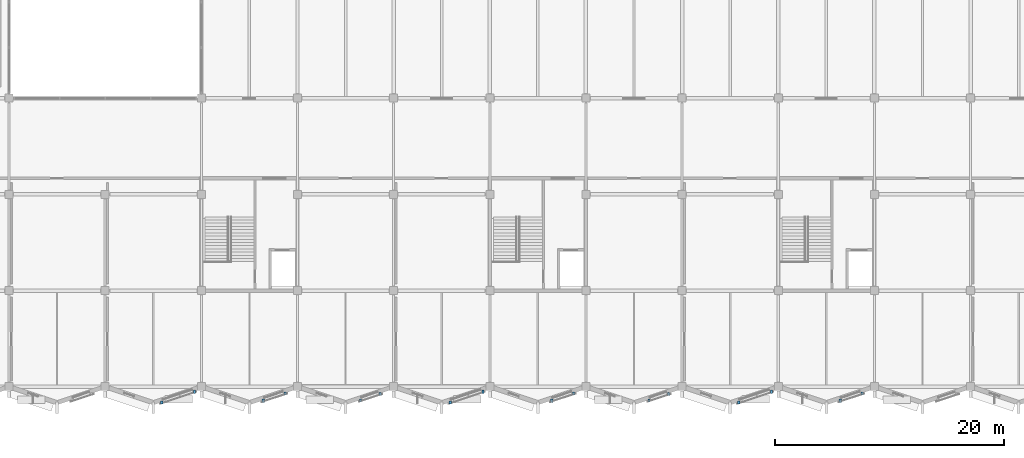
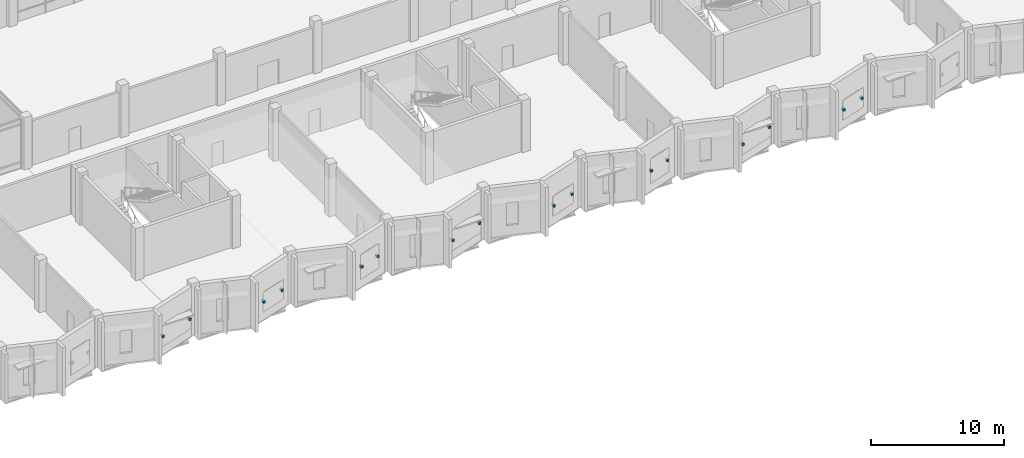
# One storey, part 95 of 110: 16 discrete accessories.
"""IFC4 building model written with IfcOpenShell, lengths in metres."""

from ifc_helpers import new_model, si_unit, direction, frame, origin, origin_2d, place, context, subcontext, project, spatial, rectangle, extrude, material, type_object, element, save


model = new_model("IFC4")

# Units and contexts
model_context = context("Model", 3, precision=1e-05, world=origin(), true_north=direction((0.0, 1.0)))
body_context = subcontext(model_context, "Body", "Model", "MODEL_VIEW")
ifc_project = project(units=[si_unit("LENGTHUNIT", "METRE"), si_unit("AREAUNIT", "SQUARE_METRE"), si_unit("VOLUMEUNIT", "CUBIC_METRE"), si_unit("PLANEANGLEUNIT", "RADIAN"), si_unit("MASSUNIT", "GRAM", prefix="KILO")], contexts=[model_context])

# Site, building, storey
site_placement = place(None, origin())
site = spatial("IfcSite", under=ifc_project, at=site_placement, CompositionType="ELEMENT")
building_placement = place(site_placement, origin())
building = spatial("IfcBuilding", under=site, at=building_placement, Name="Qawsi Khor Wholesale Market", CompositionType="ELEMENT")
storey_placement = place(building_placement, frame((0.0, 0.0, 11.39990234375)))
storey = spatial("IfcBuildingStorey", under=building, at=storey_placement, Name="L02", CompositionType="ELEMENT", Elevation=11.39990234375)

# Discrete accessories
ifc_material = material(Name="Steel S355", Category="steel")
discrete_accessory_type = type_object("IfcDiscreteAccessoryType", Name="Screen Fixing Bracket Steel S355", PredefinedType="BRACKET", material=ifc_material)
for number, where, z_axis, x_axis, name in (
    (1, (66.604248046875, -0.435791015625, 1.67529296875), (0.0, 0.0, 1.0), (1.0, 0.0, 0.0), "Screen bracket 025-1"),
    (2, (63.7392578125, -1.390869140625, 1.67529296875), (0.0, 0.0, 1.0), (1.0, 0.0, 0.0), "Screen bracket 025-2"),
    (3, (74.539306640625, -0.5908203125, 1.64990234375), (0.0, 0.0, 1.0), (1.0, 0.0, 0.0), "Screen bracket 026-1"),
    (4, (72.60400390625, -1.23583984375, 1.64990234375), (0.0, 0.0, 1.0), (1.0, 0.0, 0.0), "Screen bracket 026-2"),
    (5, (82.8349609375, -0.62548828125, 1.875), (0.0, 0.0, 1.0), (1.0, 0.0, 0.0), "Screen bracket 027-1"),
    (6, (81.1083984375, -1.201171875, 1.875), (0.0, 0.0, 1.0), (1.0, 0.0, 0.0), "Screen bracket 027-2"),
    (7, (91.80419921875, -0.435791015625, 1.67529296875), (0.0, 0.0, 1.0), (1.0, 0.0, 0.0), "Screen bracket 028-1"),
    (8, (88.939208984375, -1.390869140625, 1.67529296875), (0.0, 0.0, 1.0), (1.0, 0.0, 0.0), "Screen bracket 028-2"),
    (9, (99.739501953125, -0.5908203125, 1.64990234375), (0.0, 0.0, 1.0), (1.0, 0.0, 0.0), "Screen bracket 029-1"),
    (10, (97.803955078125, -1.23583984375, 1.64990234375), (0.0, 0.0, 1.0), (1.0, 0.0, 0.0), "Screen bracket 029-2"),
    (11, (108.034912109375, -0.62548828125, 1.875), (0.0, 0.0, 1.0), (1.0, 0.0, 0.0), "Screen bracket 030-1"),
    (12, (106.308349609375, -1.201171875, 1.875), (0.0, 0.0, 1.0), (1.0, 0.0, 0.0), "Screen bracket 030-2"),
    (13, (117.004150390625, -0.435791015625, 1.67529296875), (0.0, 0.0, 1.0), (1.0, 0.0, 0.0), "Screen bracket 031-1"),
    (14, (114.13916015625, -1.390869140625, 1.67529296875), (0.0, 0.0, 1.0), (1.0, 0.0, 0.0), "Screen bracket 031-2"),
    (15, (124.939453125, -0.5908203125, 1.64990234375), (0.0, 0.0, 1.0), (1.0, 0.0, 0.0), "Screen bracket 032-1"),
    (16, (123.00390625, -1.23583984375, 1.64990234375), (0.0, 0.0, 1.0), (1.0, 0.0, 0.0), "Screen bracket 032-2"),
):
    element("IfcDiscreteAccessory", number, at=place(storey_placement, frame(where, z_axis=z_axis, x_axis=x_axis)), inside=storey, type_object=discrete_accessory_type, Name=name, PredefinedType="BRACKET", context=body_context, shape_type="SweptSolid", body=[
        extrude(rectangle(XDim=0.199951171875, YDim=0.280029296875, at=origin_2d()), origin(), (0.0, 0.0, 1.0), 0.199951171875),
    ])

save(model, "model.ifc")
